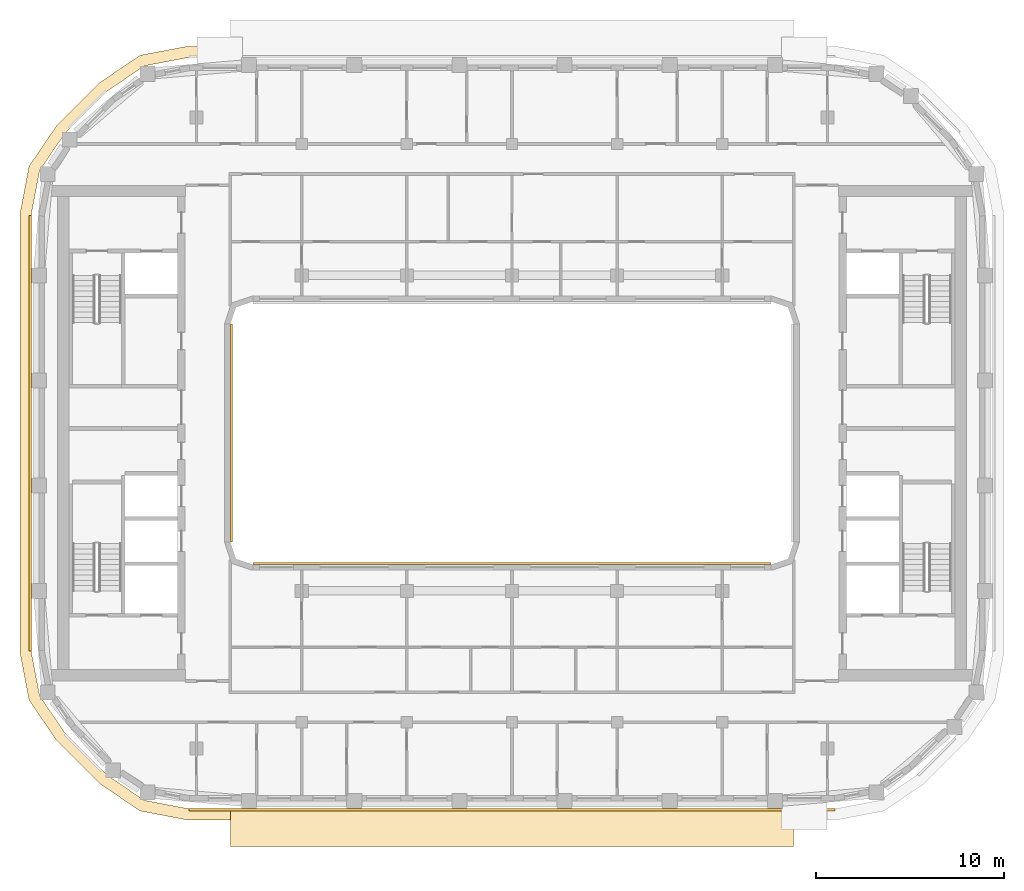
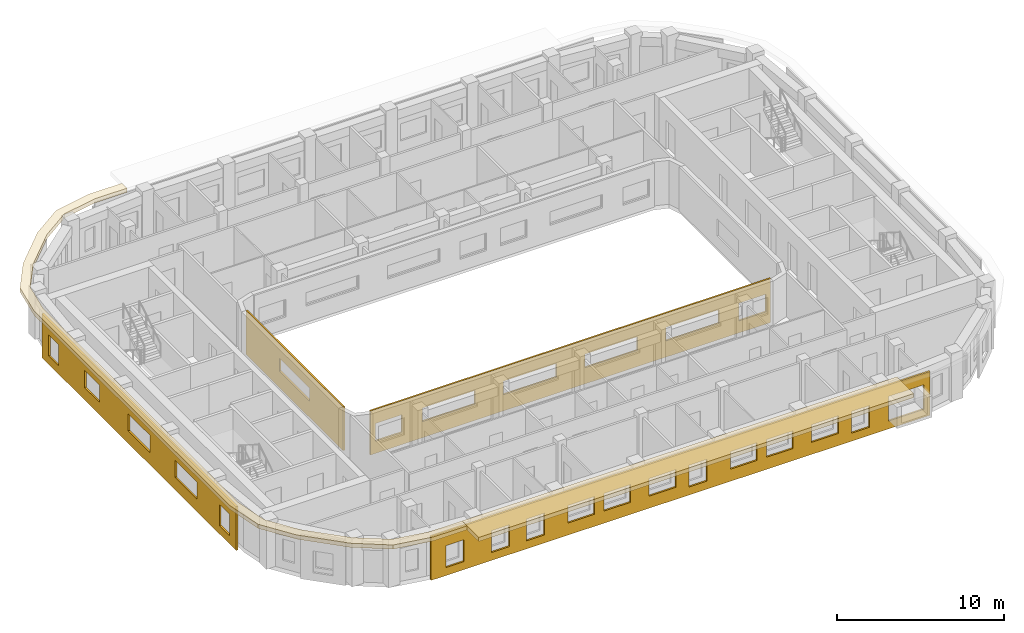
# One storey, part 11 of 16: 6 coverings.
"""IFC4 building model written with IfcOpenShell, lengths in metres."""

from ifc_helpers import new_model, si_unit, direction, frame, origin, place, context, subcontext, project, spatial, polyline, outline, extrude, material, layer, layer_set, type_object, element, save


model = new_model("IFC4")

# Units and contexts
model_context = context("Model", 3, precision=1e-05, world=origin(), true_north=direction((0.0, 1.0)))
body_context = subcontext(model_context, "Body", "Model", "MODEL_VIEW")
ifc_project = project(units=[si_unit("LENGTHUNIT", "METRE"), si_unit("AREAUNIT", "SQUARE_METRE"), si_unit("VOLUMEUNIT", "CUBIC_METRE"), si_unit("PLANEANGLEUNIT", "RADIAN"), si_unit("MASSUNIT", "GRAM", prefix="KILO")], contexts=[model_context])

# Site, building, storey
site_placement = place(None, origin())
site = spatial("IfcSite", under=ifc_project, at=site_placement, CompositionType="ELEMENT")
building_placement = place(site_placement, origin())
building = spatial("IfcBuilding", under=site, at=building_placement, Name="Kiln Ring Residences", CompositionType="ELEMENT")
storey_placement = place(building_placement, frame((0.0, 0.0, 259.199951171875)))
storey = spatial("IfcBuildingStorey", under=building, at=storey_placement, Name="L67", CompositionType="ELEMENT", Elevation=259.199951171875)

# Coverings
ifc_material_1 = material(Name="Brick masonry, dark clay brick", Category="masonry")
ifc_layer_1 = layer(ifc_material_1, 0.1201171875)
ifc_layer_set_1 = layer_set([ifc_layer_1], Name="RAINSCREEN PANEL 120")
covering_type_1 = type_object("IfcCoveringType", Name="RAINSCREEN PANEL 120", PredefinedType="CLADDING", material=ifc_layer_set_1)
covering_1_placement = place(storey_placement, frame((-17.199951171875, -20.06005859375, 0.0), z_axis=(0.0, 0.0, 1.0), x_axis=(1.0, 0.0, 0.0)))
element("IfcCovering", 1, at=covering_1_placement, inside=storey, type_object=covering_type_1, Name="RAINSCREEN L67", PredefinedType="CLADDING", context=body_context, shape_type="SweptSolid", body=[
    extrude(outline(polyline([(0.0, 0.0), (34.39990234375, 0.0), (34.39990234375, 3.199951171875), (0.0, 3.199951171875), (0.0, 0.0)]), holes=[polyline([(1.017578125, 0.580078125), (2.257568359375, 0.580078125), (2.257568359375, 2.170166015625), (1.017578125, 2.170166015625), (1.017578125, 0.580078125)]), polyline([(4.179931640625, 2.170166015625), (4.179931640625, 0.580078125), (5.419921875, 0.580078125), (5.419921875, 2.170166015625), (4.179931640625, 2.170166015625)]), polyline([(6.580078125, 2.170166015625), (6.580078125, 0.580078125), (7.820068359375, 0.580078125), (7.820068359375, 2.170166015625), (6.580078125, 2.170166015625)]), polyline([(9.4423828125, 0.880126953125), (11.282470703125, 0.880126953125), (11.282470703125, 2.170166015625), (9.4423828125, 2.170166015625), (9.4423828125, 0.880126953125)]), polyline([(11.91748046875, 2.170166015625), (11.91748046875, 0.880126953125), (13.757568359375, 0.880126953125), (13.757568359375, 2.170166015625), (11.91748046875, 2.170166015625)]), polyline([(15.04248046875, 2.170166015625), (15.04248046875, 0.880126953125), (16.882568359375, 0.880126953125), (16.882568359375, 2.170166015625), (15.04248046875, 2.170166015625)]), polyline([(17.780029296875, 0.580078125), (19.02001953125, 0.580078125), (19.02001953125, 2.170166015625), (17.780029296875, 2.170166015625), (17.780029296875, 0.580078125)]), polyline([(28.97998046875, 2.170166015625), (28.97998046875, 0.580078125), (30.219970703125, 0.580078125), (30.219970703125, 2.170166015625), (28.97998046875, 2.170166015625)]), polyline([(31.54248046875, 2.3701171875), (31.54248046875, 0.580078125), (33.982421875, 0.580078125), (33.982421875, 2.3701171875), (31.54248046875, 2.3701171875)]), polyline([(20.642578125, 0.880126953125), (22.482421875, 0.880126953125), (22.482421875, 2.170166015625), (20.642578125, 2.170166015625), (20.642578125, 0.880126953125)]), polyline([(23.117431640625, 2.170166015625), (23.117431640625, 0.880126953125), (24.95751953125, 0.880126953125), (24.95751953125, 2.170166015625), (23.117431640625, 2.170166015625)]), polyline([(26.242431640625, 2.170166015625), (26.242431640625, 0.880126953125), (28.08251953125, 0.880126953125), (28.08251953125, 2.170166015625), (26.242431640625, 2.170166015625)])]), frame((0.0, 0.06005859375, 0.0), z_axis=(0.0, -1.0, 0.0), x_axis=(1.0, 0.0, 0.0)), (0.0, 0.0, 1.0), 0.1201171875),
])
covering_2_placement = place(storey_placement, frame((-25.659912109375, 11.60009765625, 0.0), z_axis=(0.0, 0.0, 1.0), x_axis=(0.0, -1.0, 0.0)))
element("IfcCovering", 2, at=covering_2_placement, inside=storey, type_object=covering_type_1, Name="RAINSCREEN L67", PredefinedType="CLADDING", context=body_context, shape_type="SweptSolid", body=[
    extrude(outline(polyline([(0.0, 0.0), (23.199951171875, 0.0), (23.199951171875, 3.199951171875), (0.0, 3.199951171875), (0.0, 0.0)]), holes=[polyline([(2.0, 0.60009765625), (2.0, 2.150146484375), (0.800048828125, 2.150146484375), (0.800048828125, 0.60009765625), (2.0, 0.60009765625)]), polyline([(22.39990234375, 0.60009765625), (22.39990234375, 2.150146484375), (21.199951171875, 2.150146484375), (21.199951171875, 0.60009765625), (22.39990234375, 0.60009765625)]), polyline([(6.89990234375, 0.900146484375), (6.89990234375, 2.150146484375), (5.10009765625, 2.150146484375), (5.10009765625, 0.900146484375), (6.89990234375, 0.900146484375)]), polyline([(10.300048828125, 0.900146484375), (12.89990234375, 0.900146484375), (12.89990234375, 2.150146484375), (10.300048828125, 2.150146484375), (10.300048828125, 0.900146484375)]), polyline([(15.89990234375, 0.900146484375), (18.5, 0.900146484375), (18.5, 2.150146484375), (15.89990234375, 2.150146484375), (15.89990234375, 0.900146484375)])]), frame((0.0, 0.06005859375, 0.0), z_axis=(0.0, -1.0, 0.0), x_axis=(1.0, 0.0, 0.0)), (0.0, 0.0, 1.0), 0.1201171875),
])
covering_3_placement = place(storey_placement, frame((-14.93994140625, -5.800048828125, 0.0), z_axis=(0.0, 0.0, 1.0), x_axis=(0.0, 1.0, 0.0)))
element("IfcCovering", 3, at=covering_3_placement, inside=storey, type_object=covering_type_1, Name="RAINSCREEN L67", PredefinedType="CLADDING", context=body_context, shape_type="SweptSolid", body=[
    extrude(outline(polyline([(0.0, 0.0), (11.60009765625, 0.0), (11.60009765625, 3.199951171875), (0.0, 3.199951171875), (0.0, 0.0)]), holes=[polyline([(4.0, 2.150146484375), (4.0, 1.199951171875), (7.60009765625, 1.199951171875), (7.60009765625, 2.150146484375), (4.0, 2.150146484375)])]), frame((0.0, 0.06005859375, 0.0), z_axis=(0.0, -1.0, 0.0), x_axis=(1.0, 0.0, 0.0)), (0.0, 0.0, 1.0), 0.1201171875),
])
covering_4_placement = place(storey_placement, frame((13.800048828125, -6.93994140625, 0.0), z_axis=(0.0, 0.0, 1.0), x_axis=(-1.0, 0.0, 0.0)))
element("IfcCovering", 4, at=covering_4_placement, inside=storey, type_object=covering_type_1, Name="RAINSCREEN L67", PredefinedType="CLADDING", context=body_context, shape_type="SweptSolid", body=[
    extrude(outline(polyline([(0.0, 0.0), (27.60009765625, 0.0), (27.60009765625, 3.199951171875), (0.0, 3.199951171875), (0.0, 0.0)]), holes=[polyline([(2.1826171875, 0.880126953125), (2.1826171875, 2.170166015625), (0.342529296875, 2.170166015625), (0.342529296875, 0.880126953125), (2.1826171875, 0.880126953125)]), polyline([(25.41748046875, 0.880126953125), (27.257568359375, 0.880126953125), (27.257568359375, 2.170166015625), (25.41748046875, 2.170166015625), (25.41748046875, 0.880126953125)]), polyline([(3.580078125, 1.179931640625), (7.219970703125, 1.179931640625), (7.219970703125, 2.170166015625), (3.580078125, 2.170166015625), (3.580078125, 1.179931640625)]), polyline([(12.820068359375, 1.179931640625), (12.820068359375, 2.170166015625), (9.179931640625, 2.170166015625), (9.179931640625, 1.179931640625), (12.820068359375, 1.179931640625)]), polyline([(14.780029296875, 1.179931640625), (18.419921875, 1.179931640625), (18.419921875, 2.170166015625), (14.780029296875, 2.170166015625), (14.780029296875, 1.179931640625)]), polyline([(20.3798828125, 1.179931640625), (24.02001953125, 1.179931640625), (24.02001953125, 2.170166015625), (20.3798828125, 2.170166015625), (20.3798828125, 1.179931640625)])]), frame((0.0, 0.06005859375, 0.0), z_axis=(0.0, -1.0, 0.0), x_axis=(1.0, 0.0, 0.0)), (0.0, 0.0, 1.0), 0.1201171875),
])
ifc_material_2 = material(Name="Black powder-coated steel", Category="steel")
ifc_layer_2 = layer(ifc_material_2, 0.300048828125)
ifc_layer_set_2 = layer_set([ifc_layer_2], Name="SUNSHADE BAND 2000")
covering_type_2 = type_object("IfcCoveringType", Name="SUNSHADE BAND 2000", PredefinedType="CLADDING", material=ifc_layer_set_2)
placement = place(storey_placement, frame((0.0, 0.0, 3.199951171875)))
element("IfcCovering", 5, at=placement, inside=storey, type_object=covering_type_2, Name="SUNSHADE BAND L67", PredefinedType="CLADDING", context=body_context, shape_type="SweptSolid", body=[
    extrude(outline(polyline([(-15.0, -22.0), (15.0, -22.0), (15.0, -20.0), (-15.0, -20.0), (-15.0, -22.0)])), origin(), (0.0, 0.0, 1.0), 0.300048828125),
])
ifc_material_3 = material(Name="Black powder-coated steel", Category="steel")
ifc_layer_3 = layer(ifc_material_3, 0.300048828125)
ifc_layer_set_3 = layer_set([ifc_layer_3], Name="SUNSHADE FIN 600")
covering_type_3 = type_object("IfcCoveringType", Name="SUNSHADE FIN 600", PredefinedType="CLADDING", material=ifc_layer_set_3)
element("IfcCovering", 6, at=placement, inside=storey, type_object=covering_type_3, Name="SUNSHADE FIN L67", PredefinedType="CLADDING", context=body_context, shape_type="SweptSolid", body=[
    extrude(outline(polyline([(-26.199951171875, -11.694580078125), (-25.71923828125, -14.215087890625), (-24.27685546875, -16.33740234375), (-21.937255859375, -18.677001953125), (-19.815185546875, -20.119140625), (-17.29443359375, -20.60009765625), (-15.0, -20.60009765625), (-15.0, -20.0), (-17.23779296875, -20.0), (-19.58056640625, -19.552978515625), (-21.55322265625, -18.21240234375), (-23.8125, -15.953125), (-25.153076171875, -13.980712890625), (-25.60009765625, -11.6376953125), (-25.60009765625, 11.6376953125), (-25.153076171875, 13.980712890625), (-23.8125, 15.953125), (-21.55322265625, 18.21240234375), (-19.58056640625, 19.552978515625), (-17.23779296875, 20.0), (-15.0, 20.0), (-15.0, 20.60009765625), (-17.29443359375, 20.60009765625), (-19.815185546875, 20.119140625), (-21.937255859375, 18.677001953125), (-24.27685546875, 16.33740234375), (-25.71923828125, 14.215087890625), (-26.199951171875, 11.694580078125), (-26.199951171875, -11.694580078125)])), origin(), (0.0, 0.0, 1.0), 0.300048828125),
])

save(model, "model.ifc")
